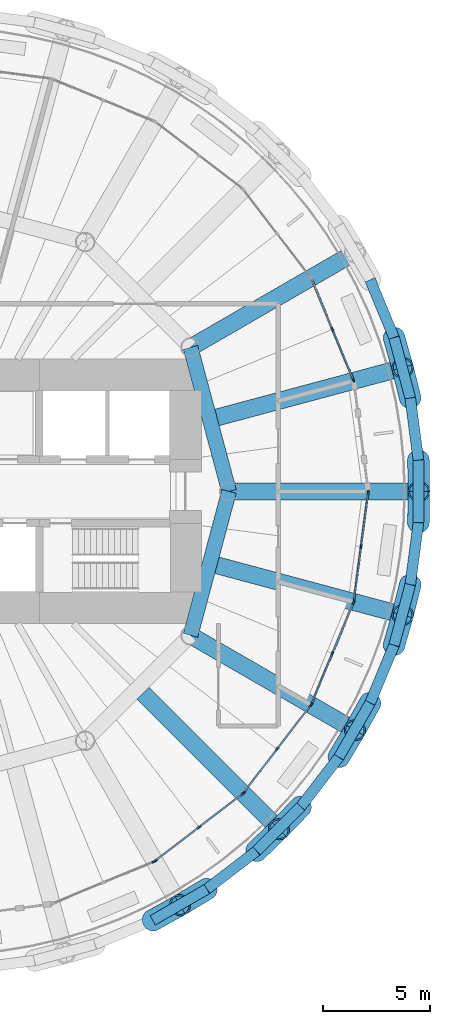
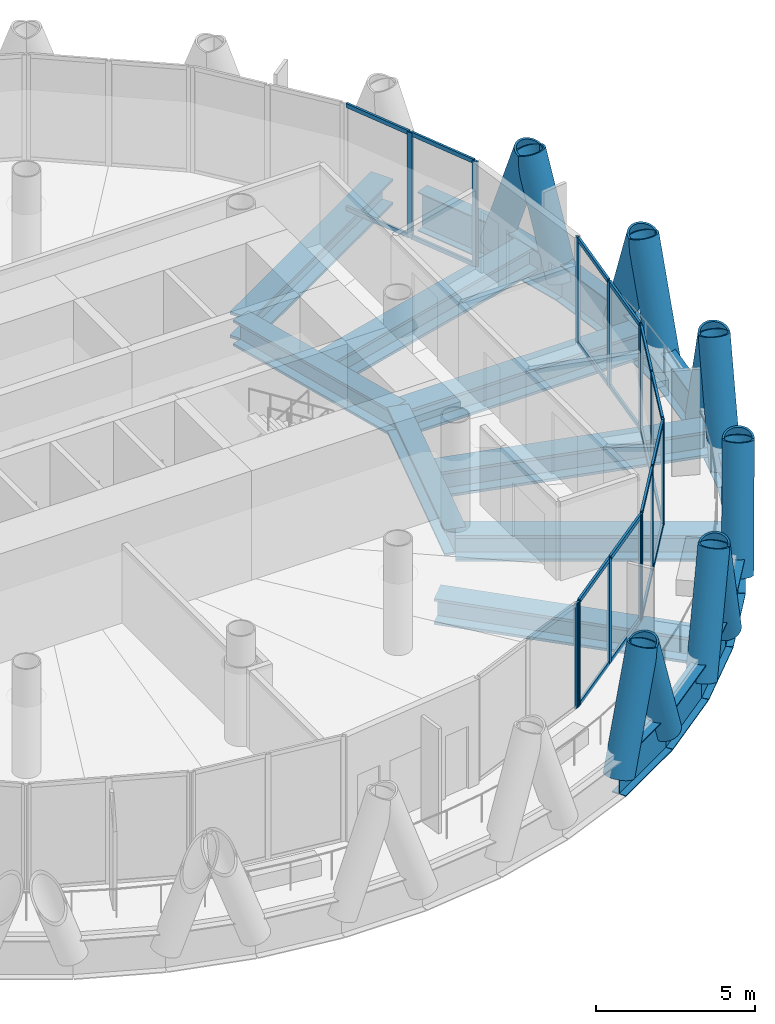
# One storey, part 4 of 14: 47 members, 20 beams, 6 elements without a shape of their own.
"""IFC4 building model written with IfcOpenShell, lengths in metres."""

from ifc_helpers import new_model, si_unit, direction, frame, origin, origin_2d, place, context, subcontext, project, spatial, rectangle, hollow_circle, i_section, extrude, material, material_profile, profile_set, type_object, element, aggregate, save


model = new_model("IFC4")

# Units and contexts
model_context = context("Model", 3, precision=1e-05, world=origin(), true_north=direction((0.0, 1.0)))
body_context = subcontext(model_context, "Body", "Model", "MODEL_VIEW")
ifc_project = project(units=[si_unit("LENGTHUNIT", "METRE"), si_unit("AREAUNIT", "SQUARE_METRE"), si_unit("VOLUMEUNIT", "CUBIC_METRE"), si_unit("PLANEANGLEUNIT", "RADIAN"), si_unit("MASSUNIT", "GRAM", prefix="KILO")], contexts=[model_context])

# Site, building, storey
site_placement = place(None, origin())
site = spatial("IfcSite", under=ifc_project, at=site_placement, CompositionType="ELEMENT")
building_placement = place(site_placement, origin())
building = spatial("IfcBuilding", under=site, at=building_placement, Name="Qaws Media Tower", CompositionType="ELEMENT")
storey_placement = place(building_placement, frame((0.0, 0.0, 240.199951171875)))
storey = spatial("IfcBuildingStorey", under=building, at=storey_placement, Name="L55", CompositionType="ELEMENT", Elevation=240.199951171875)

# Curtain wall, members
ifc_material_1 = material(Name="Aluminium and clear glass", Category="aluminium")
curtain_wall_type = type_object("IfcCurtainWallType", Name="Unitised curtain wall CW-C", PredefinedType="NOTDEFINED", material=ifc_material_1)
curtain_wall_1_placement = place(storey_placement, origin())
curtain_wall_1 = element("IfcCurtainWall", 1, at=curtain_wall_1_placement, inside=storey, type_object=curtain_wall_type, Name="CWC curtain wall L55-02", PredefinedType="NOTDEFINED")
ifc_material_2 = material(Name="Aluminium mullion", Category="aluminium")
ifc_material_profile_1 = material_profile(ifc_material_2, rectangle(XDim=0.080078125, YDim=0.199951171875, at=origin_2d()), Name="80x200")
ifc_profile_set_1 = profile_set([ifc_material_profile_1], Name="Aluminium mullion")
member_type_1 = type_object("IfcMemberType", Name="Curtain wall mullion 80x200", PredefinedType="MULLION", material=ifc_profile_set_1)
member_1_placement = place(storey_placement, frame((79.327392578125, 55.2197265625, 0.0), z_axis=(0.0, 0.0, 1.0), x_axis=(-0.923879540446, -0.382683413209, 0.0)))
member_1 = element("IfcMember", 2, at=member_1_placement, type_object=member_type_1, Name="CWC mullion 1", PredefinedType="MULLION", context=body_context, shape_type="SweptSolid", body=[
    extrude(rectangle(XDim=0.080078125, YDim=0.199951171875, at=origin_2d()), origin(), (0.0, 0.0, 1.0), 4.0400390625),
])
member_2_placement = place(storey_placement, frame((78.342529296875, 57.59765625, 0.0), z_axis=(0.0, 0.0, 1.0), x_axis=(-0.923879540446, -0.382683413209, 0.0)))
member_2 = element("IfcMember", 3, at=member_2_placement, type_object=member_type_1, Name="CWC mullion 2", PredefinedType="MULLION", context=body_context, shape_type="SweptSolid", body=[
    extrude(rectangle(XDim=0.080078125, YDim=0.199951171875, at=origin_2d()), origin(), (0.0, 0.0, 1.0), 4.0400390625),
])

# Curtain wall, member
curtain_wall_2_placement = place(storey_placement, origin())
curtain_wall_2 = element("IfcCurtainWall", 4, at=curtain_wall_2_placement, inside=storey, type_object=curtain_wall_type, Name="CWC curtain wall L55-20", PredefinedType="NOTDEFINED")
member_3_placement = place(storey_placement, frame((69.9755859375, 32.642578125, 0.0), z_axis=(0.0, 0.0, 1.0), x_axis=(-0.382683413209, 0.923879540446, 0.0)))
member_3 = element("IfcMember", 5, at=member_3_placement, type_object=member_type_1, Name="CWC mullion 3", PredefinedType="MULLION", context=body_context, shape_type="SweptSolid", body=[
    extrude(rectangle(XDim=0.080078125, YDim=0.199951171875, at=origin_2d()), origin(), (0.0, 0.0, 1.0), 4.0400390625),
])
aggregate(curtain_wall_2, [member_3])

# Curtain wall, members
curtain_wall_3_placement = place(storey_placement, origin())
curtain_wall_3 = element("IfcCurtainWall", 6, at=curtain_wall_3_placement, inside=storey, type_object=curtain_wall_type, Name="CWC curtain wall L55-21", PredefinedType="NOTDEFINED")
member_4_placement = place(storey_placement, frame((70.044189453125, 32.68212890625, 0.0), z_axis=(0.0, 0.0, 1.0), x_axis=(-0.60876152624, 0.793353265683, 0.0)))
member_4 = element("IfcMember", 7, at=member_4_placement, type_object=member_type_1, Name="CWC mullion 1", PredefinedType="MULLION", context=body_context, shape_type="SweptSolid", body=[
    extrude(rectangle(XDim=0.080078125, YDim=0.199951171875, at=origin_2d()), origin(), (0.0, 0.0, 1.0), 4.0400390625),
])
member_5_placement = place(storey_placement, frame((72.086181640625, 34.2490234375, 0.0), z_axis=(0.0, 0.0, 1.0), x_axis=(-0.60876152624, 0.793353265683, 0.0)))
member_5 = element("IfcMember", 8, at=member_5_placement, type_object=member_type_1, Name="CWC mullion 2", PredefinedType="MULLION", context=body_context, shape_type="SweptSolid", body=[
    extrude(rectangle(XDim=0.080078125, YDim=0.199951171875, at=origin_2d()), origin(), (0.0, 0.0, 1.0), 4.0400390625),
])
member_6_placement = place(storey_placement, frame((74.128173828125, 35.81591796875, 0.0), z_axis=(0.0, 0.0, 1.0), x_axis=(-0.60876152624, 0.793353265683, 0.0)))
member_6 = element("IfcMember", 9, at=member_6_placement, type_object=member_type_1, Name="CWC mullion 3", PredefinedType="MULLION", context=body_context, shape_type="SweptSolid", body=[
    extrude(rectangle(XDim=0.080078125, YDim=0.199951171875, at=origin_2d()), origin(), (0.0, 0.0, 1.0), 4.0400390625),
])

curtain_wall_4_placement = place(storey_placement, origin())
curtain_wall_4 = element("IfcCurtainWall", 10, at=curtain_wall_4_placement, inside=storey, type_object=curtain_wall_type, Name="CWC curtain wall L55-22", PredefinedType="NOTDEFINED")
member_7_placement = place(storey_placement, frame((74.18408203125, 35.871826171875, 0.0), z_axis=(0.0, 0.0, 1.0), x_axis=(-0.793353265683, 0.60876152624, 0.0)))
member_7 = element("IfcMember", 11, at=member_7_placement, type_object=member_type_1, Name="CWC mullion 1", PredefinedType="MULLION", context=body_context, shape_type="SweptSolid", body=[
    extrude(rectangle(XDim=0.080078125, YDim=0.199951171875, at=origin_2d()), origin(), (0.0, 0.0, 1.0), 4.0400390625),
])
member_8_placement = place(storey_placement, frame((75.7509765625, 37.913818359375, 0.0), z_axis=(0.0, 0.0, 1.0), x_axis=(-0.793353265683, 0.60876152624, 0.0)))
member_8 = element("IfcMember", 12, at=member_8_placement, type_object=member_type_1, Name="CWC mullion 2", PredefinedType="MULLION", context=body_context, shape_type="SweptSolid", body=[
    extrude(rectangle(XDim=0.080078125, YDim=0.199951171875, at=origin_2d()), origin(), (0.0, 0.0, 1.0), 4.0400390625),
])
member_9_placement = place(storey_placement, frame((77.31787109375, 39.955810546875, 0.0), z_axis=(0.0, 0.0, 1.0), x_axis=(-0.793353265683, 0.60876152624, 0.0)))
member_9 = element("IfcMember", 13, at=member_9_placement, type_object=member_type_1, Name="CWC mullion 3", PredefinedType="MULLION", context=body_context, shape_type="SweptSolid", body=[
    extrude(rectangle(XDim=0.080078125, YDim=0.199951171875, at=origin_2d()), origin(), (0.0, 0.0, 1.0), 4.0400390625),
])

curtain_wall_5_placement = place(storey_placement, origin())
curtain_wall_5 = element("IfcCurtainWall", 14, at=curtain_wall_5_placement, inside=storey, type_object=curtain_wall_type, Name="CWC curtain wall L55-23", PredefinedType="NOTDEFINED")
member_10_placement = place(storey_placement, frame((77.357421875, 40.0244140625, 0.0), z_axis=(0.0, 0.0, 1.0), x_axis=(-0.923879540446, 0.382683413209, 0.0)))
member_10 = element("IfcMember", 15, at=member_10_placement, type_object=member_type_1, Name="CWC mullion 1", PredefinedType="MULLION", context=body_context, shape_type="SweptSolid", body=[
    extrude(rectangle(XDim=0.080078125, YDim=0.199951171875, at=origin_2d()), origin(), (0.0, 0.0, 1.0), 4.0400390625),
])
member_11_placement = place(storey_placement, frame((78.342529296875, 42.40234375, 0.0), z_axis=(0.0, 0.0, 1.0), x_axis=(-0.923879540446, 0.382683413209, 0.0)))
member_11 = element("IfcMember", 16, at=member_11_placement, type_object=member_type_1, Name="CWC mullion 2", PredefinedType="MULLION", context=body_context, shape_type="SweptSolid", body=[
    extrude(rectangle(XDim=0.080078125, YDim=0.199951171875, at=origin_2d()), origin(), (0.0, 0.0, 1.0), 4.0400390625),
])
member_12_placement = place(storey_placement, frame((79.327392578125, 44.7802734375, 0.0), z_axis=(0.0, 0.0, 1.0), x_axis=(-0.923879540446, 0.382683413209, 0.0)))
member_12 = element("IfcMember", 17, at=member_12_placement, type_object=member_type_1, Name="CWC mullion 3", PredefinedType="MULLION", context=body_context, shape_type="SweptSolid", body=[
    extrude(rectangle(XDim=0.080078125, YDim=0.199951171875, at=origin_2d()), origin(), (0.0, 0.0, 1.0), 4.0400390625),
])

curtain_wall_6_placement = place(storey_placement, origin())
curtain_wall_6 = element("IfcCurtainWall", 18, at=curtain_wall_6_placement, inside=storey, type_object=curtain_wall_type, Name="CWC curtain wall L55-24", PredefinedType="NOTDEFINED")
member_13_placement = place(storey_placement, frame((79.347900390625, 44.856689453125, 0.0), z_axis=(0.0, 0.0, 1.0), x_axis=(-0.991444868274, 0.130526139806, 0.0)))
member_13 = element("IfcMember", 19, at=member_13_placement, type_object=member_type_1, Name="CWC mullion 1", PredefinedType="MULLION", context=body_context, shape_type="SweptSolid", body=[
    extrude(rectangle(XDim=0.080078125, YDim=0.199951171875, at=origin_2d()), origin(), (0.0, 0.0, 1.0), 4.0400390625),
])
member_14_placement = place(storey_placement, frame((79.683837890625, 47.40869140625, 0.0), z_axis=(0.0, 0.0, 1.0), x_axis=(-0.991444868274, 0.130526139806, 0.0)))
member_14 = element("IfcMember", 20, at=member_14_placement, type_object=member_type_1, Name="CWC mullion 2", PredefinedType="MULLION", context=body_context, shape_type="SweptSolid", body=[
    extrude(rectangle(XDim=0.080078125, YDim=0.199951171875, at=origin_2d()), origin(), (0.0, 0.0, 1.0), 4.0400390625),
])
member_15_placement = place(storey_placement, frame((80.019775390625, 49.96044921875, 0.0), z_axis=(0.0, 0.0, 1.0), x_axis=(-0.991444868274, 0.130526139806, 0.0)))
member_15 = element("IfcMember", 21, at=member_15_placement, type_object=member_type_1, Name="CWC mullion 3", PredefinedType="MULLION", context=body_context, shape_type="SweptSolid", body=[
    extrude(rectangle(XDim=0.080078125, YDim=0.199951171875, at=origin_2d()), origin(), (0.0, 0.0, 1.0), 4.0400390625),
])

# Member
ifc_material_3 = material(Name="Aluminium transom", Category="aluminium")
ifc_material_profile_2 = material_profile(ifc_material_3, rectangle(XDim=0.080078125, YDim=0.159912109375, at=origin_2d()), Name="80x160")
ifc_profile_set_2 = profile_set([ifc_material_profile_2], Name="Aluminium transom")
member_type_2 = type_object("IfcMemberType", Name="Curtain wall transom 80x160", PredefinedType="USERDEFINED", material=ifc_profile_set_2)
member_16_placement = place(storey_placement, frame((79.31201171875, 55.2568359375, 0.0400390625), z_axis=(-0.382688998608, 0.923877226878, 0.0), x_axis=(-0.923877226878, -0.382688998608, 0.0)))
member_16 = element("IfcMember", 22, at=member_16_placement, type_object=member_type_2, Name="CWC transom 1.1", ObjectType="TRANSOM", PredefinedType="USERDEFINED", context=body_context, shape_type="SweptSolid", body=[
    extrude(rectangle(XDim=0.080078125, YDim=0.159912109375, at=origin_2d()), origin(), (0.0, 0.0, 1.0), 2.493896484375),
])

member_17_placement = place(storey_placement, frame((79.31201171875, 55.2568359375, 4.0), z_axis=(-0.382688998608, 0.923877226878, 0.0), x_axis=(-0.923877226878, -0.382688998608, 0.0)))
member_17 = element("IfcMember", 23, at=member_17_placement, type_object=member_type_2, Name="CWC transom 1.2", ObjectType="TRANSOM", PredefinedType="USERDEFINED", context=body_context, shape_type="SweptSolid", body=[
    extrude(rectangle(XDim=0.080078125, YDim=0.159912109375, at=origin_2d()), origin(), (0.0, 0.0, 1.0), 2.493896484375),
])

member_18_placement = place(storey_placement, frame((78.3271484375, 57.634521484375, 0.0400390625), z_axis=(-0.382688998608, 0.923877226878, 0.0), x_axis=(-0.923877226878, -0.382688998608, 0.0)))
member_18 = element("IfcMember", 24, at=member_18_placement, type_object=member_type_2, Name="CWC transom 2.1", ObjectType="TRANSOM", PredefinedType="USERDEFINED", context=body_context, shape_type="SweptSolid", body=[
    extrude(rectangle(XDim=0.080078125, YDim=0.159912109375, at=origin_2d()), origin(), (0.0, 0.0, 1.0), 2.493896484375),
])

member_19_placement = place(storey_placement, frame((78.3271484375, 57.634521484375, 4.0), z_axis=(-0.382688998608, 0.923877226878, 0.0), x_axis=(-0.923877226878, -0.382688998608, 0.0)))
member_19 = element("IfcMember", 25, at=member_19_placement, type_object=member_type_2, Name="CWC transom 2.2", ObjectType="TRANSOM", PredefinedType="USERDEFINED", context=body_context, shape_type="SweptSolid", body=[
    extrude(rectangle(XDim=0.080078125, YDim=0.159912109375, at=origin_2d()), origin(), (0.0, 0.0, 1.0), 2.493896484375),
])

aggregate(curtain_wall_1, [member_1, member_2, member_16, member_17, member_18, member_19])

member_20_placement = place(storey_placement, frame((70.075927734375, 32.70654296875, 0.0400390625), z_axis=(0.793373099339, 0.608735677651, 0.0), x_axis=(-0.608735677651, 0.793373099339, 0.0)))
member_20 = element("IfcMember", 26, at=member_20_placement, type_object=member_type_2, Name="CWC transom 1.1", ObjectType="TRANSOM", PredefinedType="USERDEFINED", context=body_context, shape_type="SweptSolid", body=[
    extrude(rectangle(XDim=0.080078125, YDim=0.159912109375, at=origin_2d()), origin(), (0.0, 0.0, 1.0), 2.493896484375),
])

member_21_placement = place(storey_placement, frame((70.075927734375, 32.70654296875, 4.0), z_axis=(0.793373099339, 0.608735677651, 0.0), x_axis=(-0.608735677651, 0.793373099339, 0.0)))
member_21 = element("IfcMember", 27, at=member_21_placement, type_object=member_type_2, Name="CWC transom 1.2", ObjectType="TRANSOM", PredefinedType="USERDEFINED", context=body_context, shape_type="SweptSolid", body=[
    extrude(rectangle(XDim=0.080078125, YDim=0.159912109375, at=origin_2d()), origin(), (0.0, 0.0, 1.0), 2.493896484375),
])

member_22_placement = place(storey_placement, frame((72.117919921875, 34.2734375, 0.0400390625), z_axis=(0.793373099339, 0.608735677651, 0.0), x_axis=(-0.608735677651, 0.793373099339, 0.0)))
member_22 = element("IfcMember", 28, at=member_22_placement, type_object=member_type_2, Name="CWC transom 2.1", ObjectType="TRANSOM", PredefinedType="USERDEFINED", context=body_context, shape_type="SweptSolid", body=[
    extrude(rectangle(XDim=0.080078125, YDim=0.159912109375, at=origin_2d()), origin(), (0.0, 0.0, 1.0), 2.493896484375),
])

member_23_placement = place(storey_placement, frame((72.117919921875, 34.2734375, 4.0), z_axis=(0.793373099339, 0.608735677651, 0.0), x_axis=(-0.608735677651, 0.793373099339, 0.0)))
member_23 = element("IfcMember", 29, at=member_23_placement, type_object=member_type_2, Name="CWC transom 2.2", ObjectType="TRANSOM", PredefinedType="USERDEFINED", context=body_context, shape_type="SweptSolid", body=[
    extrude(rectangle(XDim=0.080078125, YDim=0.159912109375, at=origin_2d()), origin(), (0.0, 0.0, 1.0), 2.493896484375),
])

aggregate(curtain_wall_3, [member_4, member_5, member_6, member_20, member_21, member_22, member_23])

member_24_placement = place(storey_placement, frame((74.20849609375, 35.903564453125, 0.0400390625), z_axis=(0.608735677651, 0.793373099339, 0.0), x_axis=(-0.793373099339, 0.608735677651, 0.0)))
member_24 = element("IfcMember", 30, at=member_24_placement, type_object=member_type_2, Name="CWC transom 1.1", ObjectType="TRANSOM", PredefinedType="USERDEFINED", context=body_context, shape_type="SweptSolid", body=[
    extrude(rectangle(XDim=0.080078125, YDim=0.159912109375, at=origin_2d()), origin(), (0.0, 0.0, 1.0), 2.493896484375),
])

member_25_placement = place(storey_placement, frame((74.20849609375, 35.903564453125, 4.0), z_axis=(0.608735677651, 0.793373099339, 0.0), x_axis=(-0.793373099339, 0.608735677651, 0.0)))
member_25 = element("IfcMember", 31, at=member_25_placement, type_object=member_type_2, Name="CWC transom 1.2", ObjectType="TRANSOM", PredefinedType="USERDEFINED", context=body_context, shape_type="SweptSolid", body=[
    extrude(rectangle(XDim=0.080078125, YDim=0.159912109375, at=origin_2d()), origin(), (0.0, 0.0, 1.0), 2.493896484375),
])

member_26_placement = place(storey_placement, frame((75.775390625, 37.945556640625, 0.0400390625), z_axis=(0.608735677651, 0.793373099339, 0.0), x_axis=(-0.793373099339, 0.608735677651, 0.0)))
member_26 = element("IfcMember", 32, at=member_26_placement, type_object=member_type_2, Name="CWC transom 2.1", ObjectType="TRANSOM", PredefinedType="USERDEFINED", context=body_context, shape_type="SweptSolid", body=[
    extrude(rectangle(XDim=0.080078125, YDim=0.159912109375, at=origin_2d()), origin(), (0.0, 0.0, 1.0), 2.493896484375),
])

member_27_placement = place(storey_placement, frame((75.775390625, 37.945556640625, 4.0), z_axis=(0.608735677651, 0.793373099339, 0.0), x_axis=(-0.793373099339, 0.608735677651, 0.0)))
member_27 = element("IfcMember", 33, at=member_27_placement, type_object=member_type_2, Name="CWC transom 2.2", ObjectType="TRANSOM", PredefinedType="USERDEFINED", context=body_context, shape_type="SweptSolid", body=[
    extrude(rectangle(XDim=0.080078125, YDim=0.159912109375, at=origin_2d()), origin(), (0.0, 0.0, 1.0), 2.493896484375),
])

aggregate(curtain_wall_4, [member_7, member_8, member_9, member_24, member_25, member_26, member_27])

member_28_placement = place(storey_placement, frame((77.372802734375, 40.0615234375, 0.0400390625), z_axis=(0.382688998608, 0.923877226878, 0.0), x_axis=(-0.923877226878, 0.382688998608, 0.0)))
member_28 = element("IfcMember", 34, at=member_28_placement, type_object=member_type_2, Name="CWC transom 1.1", ObjectType="TRANSOM", PredefinedType="USERDEFINED", context=body_context, shape_type="SweptSolid", body=[
    extrude(rectangle(XDim=0.080078125, YDim=0.159912109375, at=origin_2d()), origin(), (0.0, 0.0, 1.0), 2.493896484375),
])

member_29_placement = place(storey_placement, frame((77.372802734375, 40.0615234375, 4.0), z_axis=(0.382688998608, 0.923877226878, 0.0), x_axis=(-0.923877226878, 0.382688998608, 0.0)))
member_29 = element("IfcMember", 35, at=member_29_placement, type_object=member_type_2, Name="CWC transom 1.2", ObjectType="TRANSOM", PredefinedType="USERDEFINED", context=body_context, shape_type="SweptSolid", body=[
    extrude(rectangle(XDim=0.080078125, YDim=0.159912109375, at=origin_2d()), origin(), (0.0, 0.0, 1.0), 2.493896484375),
])

member_30_placement = place(storey_placement, frame((78.357666015625, 42.439208984375, 0.0400390625), z_axis=(0.382688998608, 0.923877226878, 0.0), x_axis=(-0.923877226878, 0.382688998608, 0.0)))
member_30 = element("IfcMember", 36, at=member_30_placement, type_object=member_type_2, Name="CWC transom 2.1", ObjectType="TRANSOM", PredefinedType="USERDEFINED", context=body_context, shape_type="SweptSolid", body=[
    extrude(rectangle(XDim=0.080078125, YDim=0.159912109375, at=origin_2d()), origin(), (0.0, 0.0, 1.0), 2.493896484375),
])

member_31_placement = place(storey_placement, frame((78.357666015625, 42.439208984375, 4.0), z_axis=(0.382688998608, 0.923877226878, 0.0), x_axis=(-0.923877226878, 0.382688998608, 0.0)))
member_31 = element("IfcMember", 37, at=member_31_placement, type_object=member_type_2, Name="CWC transom 2.2", ObjectType="TRANSOM", PredefinedType="USERDEFINED", context=body_context, shape_type="SweptSolid", body=[
    extrude(rectangle(XDim=0.080078125, YDim=0.159912109375, at=origin_2d()), origin(), (0.0, 0.0, 1.0), 2.493896484375),
])

aggregate(curtain_wall_5, [member_10, member_11, member_12, member_28, member_29, member_30, member_31])

member_32_placement = place(storey_placement, frame((79.35302734375, 44.896484375, 0.0400390625), z_axis=(0.13059886233, 0.991435291463, 0.0), x_axis=(-0.991435291463, 0.13059886233, 0.0)))
member_32 = element("IfcMember", 38, at=member_32_placement, type_object=member_type_2, Name="CWC transom 1.1", ObjectType="TRANSOM", PredefinedType="USERDEFINED", context=body_context, shape_type="SweptSolid", body=[
    extrude(rectangle(XDim=0.080078125, YDim=0.159912109375, at=origin_2d()), origin(), (0.0, 0.0, 1.0), 2.49365234375),
])

member_33_placement = place(storey_placement, frame((79.35302734375, 44.896484375, 4.0), z_axis=(0.13059886233, 0.991435291463, 0.0), x_axis=(-0.991435291463, 0.13059886233, 0.0)))
member_33 = element("IfcMember", 39, at=member_33_placement, type_object=member_type_2, Name="CWC transom 1.2", ObjectType="TRANSOM", PredefinedType="USERDEFINED", context=body_context, shape_type="SweptSolid", body=[
    extrude(rectangle(XDim=0.080078125, YDim=0.159912109375, at=origin_2d()), origin(), (0.0, 0.0, 1.0), 2.49365234375),
])

member_34_placement = place(storey_placement, frame((79.68896484375, 47.4482421875, 0.0400390625), z_axis=(0.13059886233, 0.991435291463, 0.0), x_axis=(-0.991435291463, 0.13059886233, 0.0)))
member_34 = element("IfcMember", 40, at=member_34_placement, type_object=member_type_2, Name="CWC transom 2.1", ObjectType="TRANSOM", PredefinedType="USERDEFINED", context=body_context, shape_type="SweptSolid", body=[
    extrude(rectangle(XDim=0.080078125, YDim=0.159912109375, at=origin_2d()), origin(), (0.0, 0.0, 1.0), 2.49365234375),
])

member_35_placement = place(storey_placement, frame((79.68896484375, 47.4482421875, 4.0), z_axis=(0.13059886233, 0.991435291463, 0.0), x_axis=(-0.991435291463, 0.13059886233, 0.0)))
member_35 = element("IfcMember", 41, at=member_35_placement, type_object=member_type_2, Name="CWC transom 2.2", ObjectType="TRANSOM", PredefinedType="USERDEFINED", context=body_context, shape_type="SweptSolid", body=[
    extrude(rectangle(XDim=0.080078125, YDim=0.159912109375, at=origin_2d()), origin(), (0.0, 0.0, 1.0), 2.49365234375),
])

aggregate(curtain_wall_6, [member_13, member_14, member_15, member_32, member_33, member_34, member_35])

# Members
ifc_material_4 = material(Name="Steel S460", Category="steel")
ifc_material_profile_3 = material_profile(ifc_material_4, hollow_circle(Radius=0.508056640625, WallThickness=0.070068359375, at=origin_2d()), Name="CHS 1016x70")
ifc_profile_set_3 = profile_set([ifc_material_profile_3], Name="Steel S460")
member_type_3 = type_object("IfcMemberType", Name="Diagrid member CHS 1016x70", PredefinedType="USERDEFINED", material=ifc_profile_set_3)
for number, where, z_axis, x_axis, name in (
    (42, (81.994140625, 54.375, -0.909912109375), (-0.080342546036, 0.319778699284, 0.944079794711), (-0.969857904785, -0.243671181158, 0.0), "DG3 diagrid L55 A01"),
    (43, (82.376953125, 51.466552734375, -0.909912109375), (0.005158639812, -0.329659035617, 0.944085964662), (0.999877586111, 0.015646494605, 0.0), "DG3 diagrid L55 B01"),
    (44, (81.23486328125, 57.208251953125, -0.909912109375), (0.090330842565, -0.317090892068, 0.944083526521), (0.961737213198, 0.273973598637, 0.0), "DG3 diagrid L55 B02"),
    (45, (69.918212890625, 29.8876953125, -0.909912109375), (0.288112181147, 0.16035500825, 0.944075019479), (-0.486321083339, 0.873780180537, 0.0), "DG3 diagrid L55 A20"),
    (46, (74.785888671875, 33.139892578125, -0.909912109375), (0.236746203151, 0.229502230315, 0.944076247754), (-0.696036655886, 0.718006249042, 0.0), "DG3 diagrid L55 A21"),
    (47, (72.458740234375, 31.354248046875, -0.909912109375), (-0.282953184863, -0.16929995642, 0.944073630567), (0.513442929839, -0.858123742707, 0.0), "DG3 diagrid L55 B21"),
    (48, (78.645751953125, 37.541259765625, -0.909912109375), (0.16929995642, 0.282953184863, 0.944073630567), (-0.858123742707, 0.513442929839, 0.0), "DG3 diagrid L55 A22"),
    (49, (76.860107421875, 35.214111328125, -0.909912109375), (-0.229502230315, -0.236746203151, 0.944076247754), (0.718006249042, -0.696036655886, 0.0), "DG3 diagrid L55 B22"),
    (50, (81.23486328125, 42.791748046875, -0.909912109375), (0.090330842565, 0.317090892068, 0.944083526521), (-0.961737213198, 0.273973598637, 0.0), "DG3 diagrid L55 A23"),
    (51, (80.1123046875, 40.081787109375, -0.909912109375), (-0.16035500825, -0.288112181147, 0.944075019479), (0.873780180537, -0.486321083339, 0.0), "DG3 diagrid L55 B23"),
    (52, (82.376953125, 48.533447265625, -0.909912109375), (0.005158639812, 0.329659035617, 0.944085964662), (-0.999877586111, 0.015646494605, 0.0), "DG3 diagrid L55 A24"),
    (53, (81.994140625, 45.625, -0.909912109375), (-0.080342546036, -0.319778699284, 0.944079794711), (0.969857904785, -0.243671181158, 0.0), "DG3 diagrid L55 B24"),
):
    element("IfcMember", number, at=place(storey_placement, frame(where, z_axis=z_axis, x_axis=x_axis)), inside=storey, type_object=member_type_3, Name=name, ObjectType="DIAGRID", PredefinedType="USERDEFINED", context=body_context, shape_type="SweptSolid", body=[
        extrude(hollow_circle(Radius=0.508056640625, WallThickness=0.070068359375, at=origin_2d()), origin(), (0.0, 0.0, 1.0), 4.44873046875),
    ])

# Beams
ifc_material_5 = material(Name="Steel S460", Category="steel")
ifc_material_profile_4 = material_profile(ifc_material_5, i_section(OverallWidth=0.5, OverallDepth=1.5, WebThickness=0.02001953125, FlangeThickness=0.0400390625, at=origin_2d()), Name="PG 1500x500")
ifc_profile_set_4 = profile_set([ifc_material_profile_4], Name="Steel S460")
beam_type_1 = type_object("IfcBeamType", Name="Edge ring beam PG 1500x500", PredefinedType="BEAM", material=ifc_profile_set_4)
beam_1_placement = place(storey_placement, frame((82.376953125, 51.466552734375, -0.909912109375), z_axis=(-0.130495416349, 0.991448912608, 0.0), x_axis=(-0.991448912608, -0.130495416349, 0.0)))
element("IfcBeam", 54, at=beam_1_placement, inside=storey, type_object=beam_type_1, Name="RB4 edge ring beam L55-01", PredefinedType="BEAM", context=body_context, shape_type="SweptSolid", body=[
    extrude(i_section(OverallWidth=0.5, OverallDepth=1.5, WebThickness=0.02001953125, FlangeThickness=0.0400390625, at=origin_2d()), origin(), (0.0, 0.0, 1.0), 2.93359375),
])
beam_2_placement = place(storey_placement, frame((81.994140625, 54.375, -0.909912109375), z_axis=(-0.258853961327, 0.965916469839, 0.0), x_axis=(-0.965916469839, -0.258853961327, 0.0)))
element("IfcBeam", 55, at=beam_2_placement, inside=storey, type_object=beam_type_1, Name="RB4 edge ring beam L55-02", PredefinedType="BEAM", context=body_context, shape_type="SweptSolid", body=[
    extrude(i_section(OverallWidth=0.5, OverallDepth=1.5, WebThickness=0.02001953125, FlangeThickness=0.0400390625, at=origin_2d()), origin(), (0.0, 0.0, 1.0), 2.93310546875),
])
for number, where, z_axis, x_axis, name in (
    (56, (81.23486328125, 57.208251953125, -0.909912109375), (-0.382699733613, 0.923872780145, 0.0), (-0.923872780145, -0.382699733613, 0.0), "RB4 edge ring beam L55-03"),
    (57, (69.918212890625, 29.8876953125, -0.909912109375), (0.866058085077, 0.499943390069, 0.0), (-0.499943390069, 0.866058085077, 0.0), "RB4 edge ring beam L55-40"),
    (58, (72.458740234375, 31.354248046875, -0.909912109375), (0.793359806004, 0.608753002635, 0.0), (-0.608753002635, 0.793359806004, 0.0), "RB4 edge ring beam L55-41"),
    (59, (74.785888671875, 33.139892578125, -0.909912109375), (0.707106781187, 0.707106781187, 0.0), (-0.707106781187, 0.707106781187, 0.0), "RB4 edge ring beam L55-42"),
    (60, (76.860107421875, 35.214111328125, -0.909912109375), (0.608753002635, 0.793359806004, 0.0), (-0.793359806004, 0.608753002635, 0.0), "RB4 edge ring beam L55-43"),
    (61, (78.645751953125, 37.541259765625, -0.909912109375), (0.499943390069, 0.866058085077, 0.0), (-0.866058085077, 0.499943390069, 0.0), "RB4 edge ring beam L55-44"),
    (62, (80.1123046875, 40.081787109375, -0.909912109375), (0.382699733613, 0.923872780145, 0.0), (-0.923872780145, 0.382699733613, 0.0), "RB4 edge ring beam L55-45"),
):
    element("IfcBeam", number, at=place(storey_placement, frame(where, z_axis=z_axis, x_axis=x_axis)), inside=storey, type_object=beam_type_1, Name=name, PredefinedType="BEAM", context=body_context, shape_type="SweptSolid", body=[
        extrude(i_section(OverallWidth=0.5, OverallDepth=1.5, WebThickness=0.02001953125, FlangeThickness=0.0400390625, at=origin_2d()), origin(), (0.0, 0.0, 1.0), 2.933349609375),
    ])
beam_3_placement = place(storey_placement, frame((81.23486328125, 42.791748046875, -0.909912109375), z_axis=(0.258853961327, 0.965916469839, 0.0), x_axis=(-0.965916469839, 0.258853961327, 0.0)))
element("IfcBeam", 63, at=beam_3_placement, inside=storey, type_object=beam_type_1, Name="RB4 edge ring beam L55-46", PredefinedType="BEAM", context=body_context, shape_type="SweptSolid", body=[
    extrude(i_section(OverallWidth=0.5, OverallDepth=1.5, WebThickness=0.02001953125, FlangeThickness=0.0400390625, at=origin_2d()), origin(), (0.0, 0.0, 1.0), 2.93310546875),
])
beam_4_placement = place(storey_placement, frame((81.994140625, 45.625, -0.909912109375), z_axis=(0.130495416349, 0.991448912608, 0.0), x_axis=(-0.991448912608, 0.130495416349, 0.0)))
element("IfcBeam", 64, at=beam_4_placement, inside=storey, type_object=beam_type_1, Name="RB4 edge ring beam L55-47", PredefinedType="BEAM", context=body_context, shape_type="SweptSolid", body=[
    extrude(i_section(OverallWidth=0.5, OverallDepth=1.5, WebThickness=0.02001953125, FlangeThickness=0.0400390625, at=origin_2d()), origin(), (0.0, 0.0, 1.0), 2.93359375),
])
beam_5_placement = place(storey_placement, frame((82.376953125, 48.533447265625, -0.909912109375), z_axis=(0.0, 1.0, 0.0), x_axis=(-1.0, 0.0, 0.0)))
element("IfcBeam", 65, at=beam_5_placement, inside=storey, type_object=beam_type_1, Name="RB4 edge ring beam L55-48", PredefinedType="BEAM", context=body_context, shape_type="SweptSolid", body=[
    extrude(i_section(OverallWidth=0.5, OverallDepth=1.5, WebThickness=0.02001953125, FlangeThickness=0.0400390625, at=origin_2d()), origin(), (0.0, 0.0, 1.0), 2.93310546875),
])
ifc_material_6 = material(Name="Steel S460", Category="steel")
ifc_material_profile_5 = material_profile(ifc_material_6, i_section(OverallWidth=0.699951171875, OverallDepth=1.0, WebThickness=0.034912109375, FlangeThickness=0.090087890625, at=origin_2d()), Name="PG 1000x700")
ifc_profile_set_5 = profile_set([ifc_material_profile_5], Name="Steel S460")
beam_type_2 = type_object("IfcBeamType", Name="Inner ring girder PG 1000x700", PredefinedType="BEAM", material=ifc_profile_set_5)
for number, where, z_axis, x_axis, name in (
    (66, (73.5, 50.0, -0.659912109375), (-0.258810593767, 0.965928090778, 0.0), (-0.965928090778, -0.258810593767, 0.0), "B3 inner ring beam L55 I01-I02"),
    (67, (71.69140625, 43.25, -0.659912109375), (0.258810593767, 0.965928090778, 0.0), (-0.965928090778, 0.258810593767, 0.0), "B3 inner ring beam L55 I12-I01"),
):
    element("IfcBeam", number, at=place(storey_placement, frame(where, z_axis=z_axis, x_axis=x_axis)), inside=storey, type_object=beam_type_2, Name=name, PredefinedType="BEAM", context=body_context, shape_type="SweptSolid", body=[
        extrude(i_section(OverallWidth=0.699951171875, OverallDepth=1.0, WebThickness=0.034912109375, FlangeThickness=0.090087890625, at=origin_2d()), origin(), (0.0, 0.0, 1.0), 6.988037109375),
    ])
ifc_material_7 = material(Name="Steel S460", Category="steel")
ifc_material_profile_6 = material_profile(ifc_material_7, i_section(OverallWidth=0.800048828125, OverallDepth=1.0, WebThickness=0.0400390625, FlangeThickness=0.10009765625, at=origin_2d()), Name="PG 1000x800")
ifc_profile_set_6 = profile_set([ifc_material_profile_6], Name="Steel S460")
beam_type_3 = type_object("IfcBeamType", Name="Radial girder PG 1000x800", PredefinedType="BEAM", material=ifc_profile_set_6)
beam_6_placement = place(storey_placement, frame((73.5, 50.0, -0.659912109375), z_axis=(1.0, 0.0, 0.0), x_axis=(0.0, 1.0, 0.0)))
element("IfcBeam", 68, at=beam_6_placement, inside=storey, type_object=beam_type_3, Name="B1 radial beam L55 01", PredefinedType="BEAM", context=body_context, shape_type="SweptSolid", body=[
    extrude(i_section(OverallWidth=0.800048828125, OverallDepth=1.0, WebThickness=0.0400390625, FlangeThickness=0.10009765625, at=origin_2d()), origin(), (0.0, 0.0, 1.0), 8.876953125),
])
beam_7_placement = place(storey_placement, frame((72.933837890625, 53.465576171875, -0.659912109375), z_axis=(0.965927194687, 0.25881393812, 0.0), x_axis=(-0.25881393812, 0.965927194687, 0.0)))
element("IfcBeam", 69, at=beam_7_placement, inside=storey, type_object=beam_type_3, Name="B1 radial beam L55 02", PredefinedType="BEAM", context=body_context, shape_type="SweptSolid", body=[
    extrude(i_section(OverallWidth=0.800048828125, OverallDepth=1.0, WebThickness=0.0400390625, FlangeThickness=0.10009765625, at=origin_2d()), origin(), (0.0, 0.0, 1.0), 8.98681640625),
])
beam_8_placement = place(storey_placement, frame((71.69140625, 56.75, -0.659912109375), z_axis=(0.866027578666, 0.499996232975, 0.0), x_axis=(-0.499996232975, 0.866027578666, 0.0)))
element("IfcBeam", 70, at=beam_8_placement, inside=storey, type_object=beam_type_3, Name="B1 radial beam L55 03", PredefinedType="BEAM", context=body_context, shape_type="SweptSolid", body=[
    extrude(i_section(OverallWidth=0.800048828125, OverallDepth=1.0, WebThickness=0.0400390625, FlangeThickness=0.10009765625, at=origin_2d()), origin(), (0.0, 0.0, 1.0), 8.876953125),
])
beam_9_placement = place(storey_placement, frame((69.46826171875, 40.53173828125, -0.659912109375), z_axis=(0.707106781187, -0.707106781187, 0.0), x_axis=(0.707106781187, 0.707106781187, 0.0)))
element("IfcBeam", 71, at=beam_9_placement, inside=storey, type_object=beam_type_3, Name="B1 radial beam L55 22", PredefinedType="BEAM", context=body_context, shape_type="SweptSolid", body=[
    extrude(i_section(OverallWidth=0.800048828125, OverallDepth=1.0, WebThickness=0.0400390625, FlangeThickness=0.10009765625, at=origin_2d()), origin(), (0.0, 0.0, 1.0), 8.987060546875),
])
beam_10_placement = place(storey_placement, frame((71.69140625, 43.25, -0.659912109375), z_axis=(0.866027578666, -0.499996232975, 0.0), x_axis=(0.499996232975, 0.866027578666, 0.0)))
element("IfcBeam", 72, at=beam_10_placement, inside=storey, type_object=beam_type_3, Name="B1 radial beam L55 23", PredefinedType="BEAM", context=body_context, shape_type="SweptSolid", body=[
    extrude(i_section(OverallWidth=0.800048828125, OverallDepth=1.0, WebThickness=0.0400390625, FlangeThickness=0.10009765625, at=origin_2d()), origin(), (0.0, 0.0, 1.0), 8.876953125),
])
beam_11_placement = place(storey_placement, frame((72.933837890625, 46.534423828125, -0.659912109375), z_axis=(0.965927194687, -0.25881393812, 0.0), x_axis=(0.25881393812, 0.965927194687, 0.0)))
element("IfcBeam", 73, at=beam_11_placement, inside=storey, type_object=beam_type_3, Name="B1 radial beam L55 24", PredefinedType="BEAM", context=body_context, shape_type="SweptSolid", body=[
    extrude(i_section(OverallWidth=0.800048828125, OverallDepth=1.0, WebThickness=0.0400390625, FlangeThickness=0.10009765625, at=origin_2d()), origin(), (0.0, 0.0, 1.0), 8.98681640625),
])

save(model, "model.ifc")
